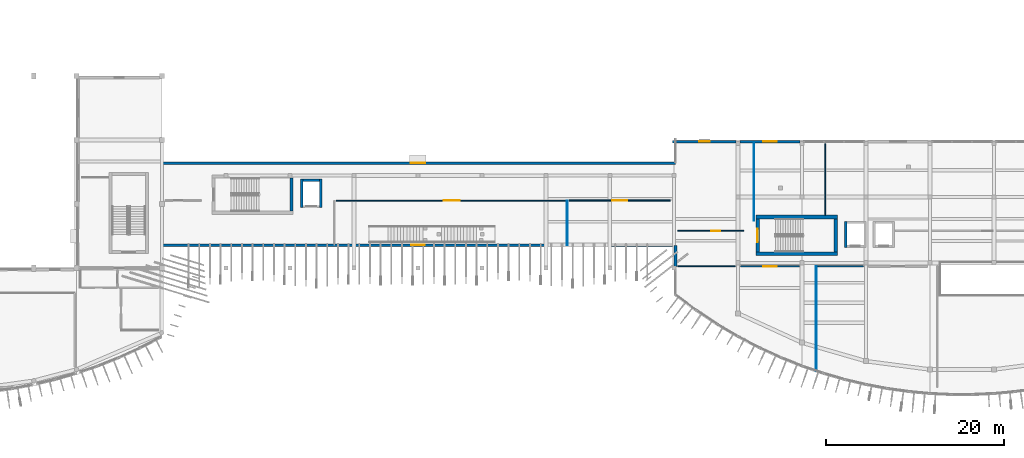
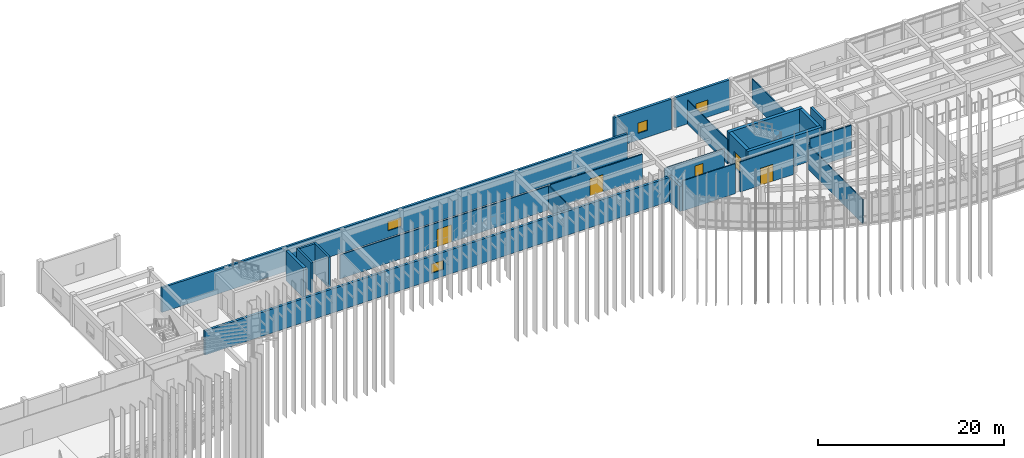
# One storey, part 31 of 47: 24 walls, 5 doors, 4 windows, 9 openings.
"""IFC4 building model written with IfcOpenShell, lengths in metres."""

from ifc_helpers import new_model, si_unit, direction, frame, frame_2d, origin, place, context, subcontext, project, spatial, rectangle, extrude, material, layer, layer_set, type_object, element, fill, save


model = new_model("IFC4")

# Units and contexts
model_context = context("Model", 3, precision=1e-05, world=origin(), true_north=direction((0.0, 1.0)))
body_context = subcontext(model_context, "Body", "Model", "MODEL_VIEW")
ifc_project = project(units=[si_unit("LENGTHUNIT", "METRE"), si_unit("AREAUNIT", "SQUARE_METRE"), si_unit("VOLUMEUNIT", "CUBIC_METRE"), si_unit("PLANEANGLEUNIT", "RADIAN"), si_unit("MASSUNIT", "GRAM", prefix="KILO")], contexts=[model_context])

# Site, building, storey
site_placement = place(None, origin())
site = spatial("IfcSite", under=ifc_project, at=site_placement, CompositionType="ELEMENT")
building_placement = place(site_placement, origin())
building = spatial("IfcBuilding", under=site, at=building_placement, Name="Brisavento Harbour Community Centre", CompositionType="ELEMENT")
storey_placement = place(building_placement, frame((0.0, 0.0, 8.699951171875)))
storey = spatial("IfcBuildingStorey", under=building, at=storey_placement, Name="L02", CompositionType="ELEMENT", Elevation=8.699951171875)

# Walls
ifc_material_1 = material(Name="Concrete C40/50", Category="concrete")
ifc_layer_1 = layer(ifc_material_1, 0.35009765625, Name="Concrete C40/50")
ifc_layer_set_1 = layer_set([ifc_layer_1], Name="Concrete C40/50")
wall_type_1 = type_object("IfcWallType", Name="WL-CORE-350", PredefinedType="SHEAR", material=ifc_layer_set_1)
wall_1_placement = place(storey_placement, frame((64.97509765625, 20.800048828125, 0.0), z_axis=(0.0, 0.0, 1.0), x_axis=(0.0, 1.0, 0.0)))
element("IfcWall", 1, at=wall_1_placement, inside=storey, type_object=wall_type_1, Name="L02 core C2 shear wall F", PredefinedType="SHEAR", context=body_context, shape_type="SweptSolid", body=[
    extrude(rectangle(XDim=3.75, YDim=0.35009765625, at=frame_2d((1.875, 0.0))), origin(), (0.0, 0.0, 1.0), 3.9599609375),
])
ifc_layer_2 = layer(ifc_material_1, 0.39990234375, Name="Concrete C40/50")
ifc_layer_set_2 = layer_set([ifc_layer_2], Name="Concrete C40/50")
wall_type_2 = type_object("IfcWallType", Name="WL-CORE-400", PredefinedType="SHEAR", material=ifc_layer_set_2)
for number, where, z_axis, x_axis, name in (
    (2, (117.199951171875, 16.0, 0.0), (0.0, 0.0, 1.0), (1.0, 0.0, 0.0), "L02 core C3A shear wall L"),
    (3, (126.39990234375, 20.14990234375, 0.0), (0.0, 0.0, 1.0), (-1.0, 0.0, 0.0), "L02 core C3A shear wall R"),
):
    element("IfcWall", number, at=place(storey_placement, frame(where, z_axis=z_axis, x_axis=x_axis)), inside=storey, type_object=wall_type_2, Name=name, PredefinedType="SHEAR", context=body_context, shape_type="SweptSolid", body=[
        extrude(rectangle(XDim=9.199951171875, YDim=0.39990234375, at=frame_2d((4.60009765625, 0.0))), origin(), (0.0, 0.0, 1.0), 3.9599609375),
    ])
wall_2_placement = place(storey_placement, frame((126.199951171875, 16.199951171875, 0.0), z_axis=(0.0, 0.0, 1.0), x_axis=(0.0, 1.0, 0.0)))
element("IfcWall", 4, at=wall_2_placement, inside=storey, type_object=wall_type_2, Name="L02 core C3A shear wall F", PredefinedType="SHEAR", context=body_context, shape_type="SweptSolid", body=[
    extrude(rectangle(XDim=3.75, YDim=0.39990234375, at=frame_2d((1.875, 0.0))), origin(), (0.0, 0.0, 1.0), 3.9599609375),
])

# Wall, opening, door
wall_3_placement = place(storey_placement, frame((117.39990234375, 19.949951171875, 0.0), z_axis=(0.0, 0.0, 1.0), x_axis=(0.0, -1.0, 0.0)))
wall_3 = element("IfcWall", 5, at=wall_3_placement, inside=storey, type_object=wall_type_2, Name="L02 core C3A shear wall N", PredefinedType="SHEAR", context=body_context, shape_type="SweptSolid", body=[
    extrude(rectangle(XDim=3.75, YDim=0.39990234375, at=frame_2d((1.875, 0.0))), origin(), (0.0, 0.0, 1.0), 3.9599609375),
])
opening_1_placement = place(wall_3_placement, frame((1.125, 0.0, 0.0)))
opening_1 = element("IfcOpeningElement", 6, at=opening_1_placement, cuts=wall_3, Name="Opening SD-01", PredefinedType="OPENING", context=body_context, shape_type="SweptSolid", body=[
    extrude(rectangle(XDim=1.5, YDim=2.199951171875, at=frame_2d((0.75, 1.10009765625))), frame((0.0, 0.2099609375, 0.0), z_axis=(0.0, -1.0, 0.0), x_axis=(1.0, 0.0, 0.0)), (0.0, 0.0, 1.0), 0.419921875),
])
ifc_material_2 = material(Name="Fire-rated steel door assembly", Category="steel")
door_type_1 = type_object("IfcDoorType", Name="DR-STAIR-150x220", OperationType="NOTDEFINED", PredefinedType="DOOR", material=ifc_material_2)
door_1_placement = place(opening_1_placement, origin())
door_1 = element("IfcDoor", 7, at=door_1_placement, inside=storey, type_object=door_type_1, Name="L02 exit stair ST-04 fire door", OperationType="SINGLE_SWING_RIGHT", OverallHeight=2.199951171875, OverallWidth=1.5, PredefinedType="DOOR", context=body_context, shape_type="SweptSolid", body=[
    extrude(rectangle(XDim=1.5, YDim=2.199951171875, at=frame_2d((0.75, 1.10009765625))), frame((0.0, 0.02490234375, 0.0), z_axis=(0.0, -1.0, 0.0), x_axis=(1.0, 0.0, 0.0)), (0.0, 0.0, 1.0), 0.050048828125),
])
fill(opening_1, door_1)

# Wall, opening, window
ifc_material_3 = material(Name="Precast concrete C40/50", Category="concrete")
ifc_layer_3 = layer(ifc_material_3, 0.280029296875, Name="Precast concrete C40/50")
ifc_layer_set_3 = layer_set([ifc_layer_3], Name="Precast concrete C40/50")
wall_type_3 = type_object("IfcWallType", Name="WL-EXT-280", PredefinedType="SOLIDWALL", material=ifc_layer_set_3)
wall_4_placement = place(storey_placement, frame((50.25, 26.219970703125, 0.0), z_axis=(0.0, 0.0, 1.0), x_axis=(1.0, 0.0, 0.0)))
wall_4 = element("IfcWall", 8, at=wall_4_placement, inside=storey, type_object=wall_type_3, Name="L02 V2 exterior wall 0236", PredefinedType="SOLIDWALL", context=body_context, shape_type="SweptSolid", body=[
    extrude(rectangle(XDim=57.89990234375, YDim=0.280029296875, at=frame_2d((28.949951171875, 0.0))), origin(), (0.0, 0.0, 1.0), 3.239990234375),
])
opening_2_placement = place(wall_4_placement, frame((28.125, 0.0, 0.89990234375)))
opening_2 = element("IfcOpeningElement", 9, at=opening_2_placement, cuts=wall_4, Name="Opening W-06", PredefinedType="OPENING", context=body_context, shape_type="SweptSolid", body=[
    extrude(rectangle(XDim=1.64990234375, YDim=1.199951171875, at=frame_2d((0.824951171875, 0.60009765625))), frame((0.0, 0.14990234375, 0.0), z_axis=(0.0, -1.0, 0.0), x_axis=(1.0, 0.0, 0.0)), (0.0, 0.0, 1.0), 0.300048828125),
])
ifc_material_4 = material(Name="Solar-control laminated low-E glass", Category="glass")
window_type_1 = type_object("IfcWindowType", Name="WIN-CAS-06", PartitioningType="SINGLE_PANEL", PredefinedType="WINDOW", material=ifc_material_4)
window_1_placement = place(opening_2_placement, origin())
window_1 = element("IfcWindow", 10, at=window_1_placement, inside=storey, type_object=window_type_1, Name="L02 V2 impact casement window 0114", OverallHeight=1.199951171875, OverallWidth=1.64990234375, PartitioningType="SINGLE_PANEL", PredefinedType="WINDOW", context=body_context, shape_type="SweptSolid", body=[
    extrude(rectangle(XDim=1.64990234375, YDim=1.199951171875, at=frame_2d((0.824951171875, 0.60009765625))), frame((0.0, 0.030029296875, 0.0), z_axis=(0.0, -1.0, 0.0), x_axis=(1.0, 0.0, 0.0)), (0.0, 0.0, 1.0), 0.06005859375),
])
fill(opening_2, window_1)

ifc_material_5 = material(Name="Concrete C35/45", Category="concrete")
ifc_layer_4 = layer(ifc_material_5, 0.300048828125, Name="Concrete C35/45")
ifc_layer_set_4 = layer_set([ifc_layer_4], Name="Concrete C35/45")
wall_type_4 = type_object("IfcWallType", Name="WL-EXT-300", PredefinedType="SOLIDWALL", material=ifc_layer_set_4)
wall_5_placement = place(storey_placement, frame((108.14990234375, 16.97998046875, 0.0), z_axis=(0.0, 0.0, 1.0), x_axis=(-1.0, 0.0, 0.0)))
wall_5 = element("IfcWall", 11, at=wall_5_placement, inside=storey, type_object=wall_type_4, Name="L02 V2 exterior wall 0235", PredefinedType="SOLIDWALL", context=body_context, shape_type="SweptSolid", body=[
    extrude(rectangle(XDim=57.89990234375, YDim=0.300048828125, at=frame_2d((28.949951171875, 0.0))), origin(), (0.0, 0.0, 1.0), 3.16015625),
])
opening_3_placement = place(wall_5_placement, frame((28.199951171875, 0.0, 0.89990234375)))
opening_3 = element("IfcOpeningElement", 12, at=opening_3_placement, cuts=wall_5, Name="Opening W-05", PredefinedType="OPENING", context=body_context, shape_type="SweptSolid", body=[
    extrude(rectangle(XDim=1.5, YDim=1.199951171875, at=frame_2d((0.75, 0.60009765625))), frame((0.0, 0.16015625, 0.0), z_axis=(0.0, -1.0, 0.0), x_axis=(1.0, 0.0, 0.0)), (0.0, 0.0, 1.0), 0.320068359375),
])
window_type_2 = type_object("IfcWindowType", Name="WIN-CAS-05", PartitioningType="SINGLE_PANEL", PredefinedType="WINDOW", material=ifc_material_4)
window_2_placement = place(opening_3_placement, origin())
window_2 = element("IfcWindow", 13, at=window_2_placement, inside=storey, type_object=window_type_2, Name="L02 V2 impact casement window 0113", OverallHeight=1.199951171875, OverallWidth=1.5, PartitioningType="SINGLE_PANEL", PredefinedType="WINDOW", context=body_context, shape_type="SweptSolid", body=[
    extrude(rectangle(XDim=1.5, YDim=1.199951171875, at=frame_2d((0.75, 0.60009765625))), frame((0.0, 0.030029296875, 0.0), z_axis=(0.0, -1.0, 0.0), x_axis=(1.0, 0.0, 0.0)), (0.0, 0.0, 1.0), 0.06005859375),
])
fill(opening_3, window_2)

wall_6_placement = place(storey_placement, frame((115.409912109375, 28.6201171875, 0.0), z_axis=(0.0, 0.0, 1.0), x_axis=(1.0, 0.0, 0.0)))
wall_6 = element("IfcWall", 14, at=wall_6_placement, inside=storey, type_object=wall_type_4, Name="L02 V3 exterior wall 0240", PredefinedType="SOLIDWALL", context=body_context, shape_type="SweptSolid", body=[
    extrude(rectangle(XDim=6.780029296875, YDim=0.300048828125, at=frame_2d((3.39013671875, 0.0))), origin(), (0.0, 0.0, 1.0), 3.9599609375),
])
opening_4_placement = place(wall_6_placement, frame((2.639892578125, 0.0, 0.89990234375)))
opening_4 = element("IfcOpeningElement", 15, at=opening_4_placement, cuts=wall_6, Name="Opening W-10", PredefinedType="OPENING", context=body_context, shape_type="SweptSolid", body=[
    extrude(rectangle(XDim=1.5, YDim=1.35009765625, at=frame_2d((0.75, 0.675048828125))), frame((0.0, 0.16015625, 0.0), z_axis=(0.0, -1.0, 0.0), x_axis=(1.0, 0.0, 0.0)), (0.0, 0.0, 1.0), 0.320068359375),
])
window_type_3 = type_object("IfcWindowType", Name="WIN-CAS-10", PartitioningType="SINGLE_PANEL", PredefinedType="WINDOW", material=ifc_material_4)
window_3_placement = place(opening_4_placement, origin())
window_3 = element("IfcWindow", 16, at=window_3_placement, inside=storey, type_object=window_type_3, Name="L02 V3 impact casement window 0118", OverallHeight=1.35009765625, OverallWidth=1.5, PartitioningType="SINGLE_PANEL", PredefinedType="WINDOW", context=body_context, shape_type="SweptSolid", body=[
    extrude(rectangle(XDim=1.5, YDim=1.35009765625, at=frame_2d((0.75, 0.675048828125))), frame((0.0, 0.030029296875, 0.0), z_axis=(0.0, -1.0, 0.0), x_axis=(1.0, 0.0, 0.0)), (0.0, 0.0, 1.0), 0.06005859375),
])
fill(opening_4, window_3)

ifc_layer_5 = layer(ifc_material_5, 0.320068359375, Name="Concrete C35/45")
ifc_layer_set_5 = layer_set([ifc_layer_5], Name="Concrete C35/45")
wall_type_5 = type_object("IfcWallType", Name="WL-EXT-320", PredefinedType="SOLIDWALL", material=ifc_layer_set_5)
wall_7_placement = place(storey_placement, frame((107.85009765625, 28.6201171875, 0.0), z_axis=(0.0, 0.0, 1.0), x_axis=(1.0, 0.0, 0.0)))
wall_7 = element("IfcWall", 17, at=wall_7_placement, inside=storey, type_object=wall_type_5, Name="L02 V3 exterior wall 0239", PredefinedType="SOLIDWALL", context=body_context, shape_type="SweptSolid", body=[
    extrude(rectangle(XDim=7.139892578125, YDim=0.320068359375, at=frame_2d((3.56982421875, 0.0))), origin(), (0.0, 0.0, 1.0), 3.9599609375),
])
opening_5_placement = place(wall_7_placement, frame((2.969970703125, 0.0, 0.89990234375)))
opening_5 = element("IfcOpeningElement", 18, at=opening_5_placement, cuts=wall_7, Name="Opening W-09", PredefinedType="OPENING", context=body_context, shape_type="SweptSolid", body=[
    extrude(rectangle(XDim=1.199951171875, YDim=1.35009765625, at=frame_2d((0.60009765625, 0.675048828125))), frame((0.0, 0.169921875, 0.0), z_axis=(0.0, -1.0, 0.0), x_axis=(1.0, 0.0, 0.0)), (0.0, 0.0, 1.0), 0.340087890625),
])
window_type_4 = type_object("IfcWindowType", Name="WIN-CAS-09", PartitioningType="SINGLE_PANEL", PredefinedType="WINDOW", material=ifc_material_4)
window_4_placement = place(opening_5_placement, origin())
window_4 = element("IfcWindow", 19, at=window_4_placement, inside=storey, type_object=window_type_4, Name="L02 V3 impact casement window 0117", OverallHeight=1.35009765625, OverallWidth=1.199951171875, PartitioningType="SINGLE_PANEL", PredefinedType="WINDOW", context=body_context, shape_type="SweptSolid", body=[
    extrude(rectangle(XDim=1.199951171875, YDim=1.35009765625, at=frame_2d((0.60009765625, 0.675048828125))), frame((0.0, 0.030029296875, 0.0), z_axis=(0.0, -1.0, 0.0), x_axis=(1.0, 0.0, 0.0)), (0.0, 0.0, 1.0), 0.06005859375),
])
fill(opening_5, window_4)

# Walls
wall_8_placement = place(storey_placement, frame((108.179931640625, 14.610107421875, 0.0), z_axis=(0.0, 0.0, 1.0), x_axis=(0.0, 1.0, 0.0)))
element("IfcWall", 20, at=wall_8_placement, inside=storey, type_object=wall_type_5, Name="L02 V3 exterior wall 0244", PredefinedType="SOLIDWALL", context=body_context, shape_type="SweptSolid", body=[
    extrude(rectangle(XDim=2.33984375, YDim=0.320068359375, at=frame_2d((1.169921875, 0.0))), origin(), (0.0, 0.0, 1.0), 3.31005859375),
])
ifc_material_6 = material(Name="Lightweight stud partition", Category="other")
ifc_layer_6 = layer(ifc_material_6, 0.10009765625, Name="Lightweight stud partition")
ifc_layer_set_6 = layer_set([ifc_layer_6], Name="Lightweight stud partition")
wall_type_6 = type_object("IfcWallType", Name="WL-PRT-100", PredefinedType="PARTITIONING", material=ifc_layer_set_6)
wall_9_placement = place(storey_placement, frame((96.0, 17.0, 0.0), z_axis=(0.0, 0.0, 1.0), x_axis=(0.0, 1.0, 0.0)))
element("IfcWall", 21, at=wall_9_placement, inside=storey, type_object=wall_type_6, Name="L02 Public Roof Terrace Lounge partition 0211", PredefinedType="PARTITIONING", context=body_context, shape_type="SweptSolid", body=[
    extrude(rectangle(XDim=5.0, YDim=0.10009765625, at=frame_2d((2.5, 0.0))), origin(), (0.0, 0.0, 1.0), 3.199951171875),
])
wall_10_placement = place(storey_placement, frame((124.0, 2.81640625, 0.0), z_axis=(0.0, 0.0, 1.0), x_axis=(0.0, 1.0, 0.0)))
element("IfcWall", 22, at=wall_10_placement, inside=storey, type_object=wall_type_6, Name="L02 Digital Media Lab 201 partition 0215", PredefinedType="PARTITIONING", context=body_context, shape_type="SweptSolid", body=[
    extrude(rectangle(XDim=11.78369140625, YDim=0.10009765625, at=frame_2d((5.891845703125, 0.0))), origin(), (0.0, 0.0, 1.0), 3.199951171875),
])
wall_11_placement = place(storey_placement, frame((117.0, 19.75, 0.0), z_axis=(0.0, 0.0, 1.0), x_axis=(0.0, 1.0, 0.0)))
element("IfcWall", 23, at=wall_11_placement, inside=storey, type_object=wall_type_6, Name="L02 Sound Recording Control Room partition 0231", PredefinedType="PARTITIONING", context=body_context, shape_type="SweptSolid", body=[
    extrude(rectangle(XDim=8.64990234375, YDim=0.10009765625, at=frame_2d((4.324951171875, 0.0))), origin(), (0.0, 0.0, 1.0), 3.16015625),
])

# Wall, opening, door
ifc_material_7 = material(Name="Gypsum metal-stud partition", Category="other")
ifc_layer_7 = layer(ifc_material_7, 0.1201171875, Name="Gypsum metal-stud partition")
ifc_layer_set_7 = layer_set([ifc_layer_7], Name="Gypsum metal-stud partition")
wall_type_7 = type_object("IfcWallType", Name="WL-PRT-120", PredefinedType="PARTITIONING", material=ifc_layer_set_7)
wall_12_placement = place(storey_placement, frame((96.0, 22.0, 0.0), z_axis=(0.0, 0.0, 1.0), x_axis=(-1.0, 0.0, 0.0)))
wall_12 = element("IfcWall", 24, at=wall_12_placement, inside=storey, type_object=wall_type_7, Name="L02 Public Roof Terrace Lounge partition 0210", PredefinedType="PARTITIONING", context=body_context, shape_type="SweptSolid", body=[
    extrude(rectangle(XDim=26.0, YDim=0.1201171875, at=frame_2d((13.0, 0.0))), origin(), (0.0, 0.0, 1.0), 3.16015625),
])
opening_6_placement = place(wall_12_placement, frame((12.10009765625, 0.0, 0.0)))
opening_6 = element("IfcOpeningElement", 25, at=opening_6_placement, cuts=wall_12, Name="Opening ID-01", PredefinedType="OPENING", context=body_context, shape_type="SweptSolid", body=[
    extrude(rectangle(XDim=1.800048828125, YDim=2.300048828125, at=frame_2d((0.89990234375, 1.14990234375))), frame((0.0, 0.070068359375, 0.0), z_axis=(0.0, -1.0, 0.0), x_axis=(1.0, 0.0, 0.0)), (0.0, 0.0, 1.0), 0.14013671875),
])
ifc_material_8 = material(Name="Solid-core tropical timber door", Category="wood")
door_type_2 = type_object("IfcDoorType", Name="DR-INT-180x230", OperationType="NOTDEFINED", PredefinedType="DOOR", material=ifc_material_8)
door_2_placement = place(opening_6_placement, origin())
door_2 = element("IfcDoor", 26, at=door_2_placement, inside=storey, type_object=door_type_2, Name="L02 Public Roof Terrace Lounge door 0078", OperationType="SINGLE_SWING_LEFT", OverallHeight=2.300048828125, OverallWidth=1.800048828125, PredefinedType="DOOR", context=body_context, shape_type="SweptSolid", body=[
    extrude(rectangle(XDim=1.800048828125, YDim=2.300048828125, at=frame_2d((0.89990234375, 1.14990234375))), frame((0.0, 0.02490234375, 0.0), z_axis=(0.0, -1.0, 0.0), x_axis=(1.0, 0.0, 0.0)), (0.0, 0.0, 1.0), 0.050048828125),
])
fill(opening_6, door_2)

# Walls
wall_13_placement = place(storey_placement, frame((114.909912109375, 14.60009765625, 0.0), z_axis=(0.0, 0.0, 1.0), x_axis=(-1.0, 0.0, 0.0)))
element("IfcWall", 27, at=wall_13_placement, inside=storey, type_object=wall_type_7, Name="L02 Digital Media Lab 201 partition 0214", PredefinedType="PARTITIONING", context=body_context, shape_type="SweptSolid", body=[
    extrude(rectangle(XDim=6.510009765625, YDim=0.1201171875, at=frame_2d((3.2548828125, 0.0))), origin(), (0.0, 0.0, 1.0), 3.9599609375),
])
wall_14_placement = place(storey_placement, frame((125.0, 28.39990234375, 0.0), z_axis=(0.0, 0.0, 1.0), x_axis=(0.0, -1.0, 0.0)))
element("IfcWall", 28, at=wall_14_placement, inside=storey, type_object=wall_type_7, Name="L02 Adult Classroom 203 partition 0226", PredefinedType="PARTITIONING", context=body_context, shape_type="SweptSolid", body=[
    extrude(rectangle(XDim=8.039794921875, YDim=0.1201171875, at=frame_2d((4.02001953125, 0.0))), origin(), (0.0, 0.0, 1.0), 3.2099609375),
])

# Wall, opening, door
wall_15_placement = place(storey_placement, frame((108.39990234375, 18.60009765625, 0.0), z_axis=(0.0, 0.0, 1.0), x_axis=(1.0, 0.0, 0.0)))
wall_15 = element("IfcWall", 29, at=wall_15_placement, inside=storey, type_object=wall_type_7, Name="L02 Sound Recording Control Room partition 0230", PredefinedType="PARTITIONING", context=body_context, shape_type="SweptSolid", body=[
    extrude(rectangle(XDim=7.4501953125, YDim=0.1201171875, at=frame_2d((3.72509765625, 0.0))), origin(), (0.0, 0.0, 1.0), 3.16015625),
])
opening_7_placement = place(wall_15_placement, frame((3.800048828125, 0.0, 0.0)))
opening_7 = element("IfcOpeningElement", 30, at=opening_7_placement, cuts=wall_15, Name="Opening ID-09", PredefinedType="OPENING", context=body_context, shape_type="SweptSolid", body=[
    extrude(rectangle(XDim=1.0, YDim=2.14990234375, at=frame_2d((0.5, 1.074951171875))), frame((0.0, 0.070068359375, 0.0), z_axis=(0.0, -1.0, 0.0), x_axis=(1.0, 0.0, 0.0)), (0.0, 0.0, 1.0), 0.14013671875),
])
door_type_3 = type_object("IfcDoorType", Name="DR-INT-100x215", OperationType="NOTDEFINED", PredefinedType="DOOR", material=ifc_material_8)
door_3_placement = place(opening_7_placement, origin())
door_3 = element("IfcDoor", 31, at=door_3_placement, inside=storey, type_object=door_type_3, Name="L02 Sound Recording Control Room door 0086", OperationType="SINGLE_SWING_LEFT", OverallHeight=2.14990234375, OverallWidth=1.0, PredefinedType="DOOR", context=body_context, shape_type="SweptSolid", body=[
    extrude(rectangle(XDim=1.0, YDim=2.14990234375, at=frame_2d((0.5, 1.074951171875))), frame((0.0, 0.02490234375, 0.0), z_axis=(0.0, -1.0, 0.0), x_axis=(1.0, 0.0, 0.0)), (0.0, 0.0, 1.0), 0.050048828125),
])
fill(opening_7, door_3)

ifc_layer_8 = layer(ifc_material_7, 0.139892578125, Name="Gypsum metal-stud partition")
ifc_layer_set_8 = layer_set([ifc_layer_8], Name="Gypsum metal-stud partition")
wall_type_8 = type_object("IfcWallType", Name="WL-PRT-140", PredefinedType="PARTITIONING", material=ifc_layer_set_8)
wall_16_placement = place(storey_placement, frame((122.110107421875, 14.60009765625, 0.0), z_axis=(0.0, 0.0, 1.0), x_axis=(-1.0, 0.0, 0.0)))
wall_16 = element("IfcWall", 32, at=wall_16_placement, inside=storey, type_object=wall_type_8, Name="L02 Digital Media Lab 201 partition 0213", PredefinedType="PARTITIONING", context=body_context, shape_type="SweptSolid", body=[
    extrude(rectangle(XDim=6.6201171875, YDim=0.139892578125, at=frame_2d((3.31005859375, 0.0))), origin(), (0.0, 0.0, 1.0), 3.9599609375),
])
opening_8_placement = place(wall_16_placement, frame((2.534912109375, 0.0, 0.0)))
opening_8 = element("IfcOpeningElement", 33, at=opening_8_placement, cuts=wall_16, Name="Opening ID-03", PredefinedType="OPENING", context=body_context, shape_type="SweptSolid", body=[
    extrude(rectangle(XDim=1.550048828125, YDim=2.25, at=frame_2d((0.77490234375, 1.125))), frame((0.0, 0.080078125, 0.0), z_axis=(0.0, -1.0, 0.0), x_axis=(1.0, 0.0, 0.0)), (0.0, 0.0, 1.0), 0.159912109375),
])
door_type_4 = type_object("IfcDoorType", Name="DR-INT-155x225", OperationType="NOTDEFINED", PredefinedType="DOOR", material=ifc_material_8)
door_4_placement = place(opening_8_placement, origin())
door_4 = element("IfcDoor", 34, at=door_4_placement, inside=storey, type_object=door_type_4, Name="L02 Digital Media Lab 201 door 0080", OperationType="SINGLE_SWING_LEFT", OverallHeight=2.25, OverallWidth=1.550048828125, PredefinedType="DOOR", context=body_context, shape_type="SweptSolid", body=[
    extrude(rectangle(XDim=1.550048828125, YDim=2.25, at=frame_2d((0.77490234375, 1.125))), frame((0.0, 0.02490234375, 0.0), z_axis=(0.0, -1.0, 0.0), x_axis=(1.0, 0.0, 0.0)), (0.0, 0.0, 1.0), 0.050048828125),
])
fill(opening_8, door_4)

# Wall
wall_17_placement = place(storey_placement, frame((129.31005859375, 14.60009765625, 0.0), z_axis=(0.0, 0.0, 1.0), x_axis=(-1.0, 0.0, 0.0)))
element("IfcWall", 35, at=wall_17_placement, inside=storey, type_object=wall_type_8, Name="L02 Youth Studio 202 partition 0217", PredefinedType="PARTITIONING", context=body_context, shape_type="SweptSolid", body=[
    extrude(rectangle(XDim=5.110107421875, YDim=0.139892578125, at=frame_2d((2.55517578125, 0.0))), origin(), (0.0, 0.0, 1.0), 3.9599609375),
])

# Wall, opening, door
ifc_material_9 = material(Name="Moisture-resistant stud partition", Category="other")
ifc_layer_9 = layer(ifc_material_9, 0.14990234375, Name="Moisture-resistant stud partition")
ifc_layer_set_9 = layer_set([ifc_layer_9], Name="Moisture-resistant stud partition")
wall_type_9 = type_object("IfcWallType", Name="WL-PRT-150", PredefinedType="PARTITIONING", material=ifc_layer_set_9)
wall_18_placement = place(storey_placement, frame((107.60009765625, 22.0, 0.0), z_axis=(0.0, 0.0, 1.0), x_axis=(-1.0, 0.0, 0.0)))
wall_18 = element("IfcWall", 36, at=wall_18_placement, inside=storey, type_object=wall_type_9, Name="L02 Community Clubroom 201 partition 0212", PredefinedType="PARTITIONING", context=body_context, shape_type="SweptSolid", body=[
    extrude(rectangle(XDim=11.400146484375, YDim=0.14990234375, at=frame_2d((5.7001953125, 0.0))), origin(), (0.0, 0.0, 1.0), 3.260009765625),
])
opening_9_placement = place(wall_18_placement, frame((4.875, 0.0, 0.0)))
opening_9 = element("IfcOpeningElement", 37, at=opening_9_placement, cuts=wall_18, Name="Opening ID-02", PredefinedType="OPENING", context=body_context, shape_type="SweptSolid", body=[
    extrude(rectangle(XDim=1.64990234375, YDim=2.300048828125, at=frame_2d((0.824951171875, 1.14990234375))), frame((0.0, 0.0849609375, 0.0), z_axis=(0.0, -1.0, 0.0), x_axis=(1.0, 0.0, 0.0)), (0.0, 0.0, 1.0), 0.169921875),
])
door_type_5 = type_object("IfcDoorType", Name="DR-INT-165x230", OperationType="NOTDEFINED", PredefinedType="DOOR", material=ifc_material_8)
door_5_placement = place(opening_9_placement, origin())
door_5 = element("IfcDoor", 38, at=door_5_placement, inside=storey, type_object=door_type_5, Name="L02 Community Clubroom 201 door 0079", OperationType="SINGLE_SWING_RIGHT", OverallHeight=2.300048828125, OverallWidth=1.64990234375, PredefinedType="DOOR", context=body_context, shape_type="SweptSolid", body=[
    extrude(rectangle(XDim=1.64990234375, YDim=2.300048828125, at=frame_2d((0.824951171875, 1.14990234375))), frame((0.0, 0.02490234375, 0.0), z_axis=(0.0, -1.0, 0.0), x_axis=(1.0, 0.0, 0.0)), (0.0, 0.0, 1.0), 0.050048828125),
])
fill(opening_9, door_5)

# Walls
ifc_layer_10 = layer(ifc_material_5, 0.25, Name="Concrete C35/45")
ifc_layer_set_10 = layer_set([ifc_layer_10], Name="Concrete C35/45")
wall_type_10 = type_object("IfcWallType", Name="WL-SHF-250", PredefinedType="SOLIDWALL", material=ifc_layer_set_10)
wall_19_placement = place(storey_placement, frame((127.324951171875, 16.75, 0.0), z_axis=(0.0, 0.0, 1.0), x_axis=(0.0, 1.0, 0.0)))
element("IfcWall", 39, at=wall_19_placement, inside=storey, type_object=wall_type_10, Name="L02 lift LC-02 shaft wall W", PredefinedType="SOLIDWALL", context=body_context, shape_type="SweptSolid", body=[
    extrude(rectangle(XDim=2.89990234375, YDim=0.25, at=frame_2d((1.449951171875, 0.0))), origin(), (0.0, 0.0, 1.0), 3.9599609375),
])
for number, where, z_axis, x_axis, name in (
    (40, (66.125, 21.199951171875, 0.0), (0.0, 0.0, 1.0), (0.0, 1.0, 0.0), "L02 lift LC-04 shaft wall W"),
    (41, (68.27490234375, 24.39990234375, 0.0), (0.0, 0.0, 1.0), (0.0, -1.0, 0.0), "L02 lift LC-04 shaft wall E"),
):
    element("IfcWall", number, at=place(storey_placement, frame(where, z_axis=z_axis, x_axis=x_axis)), inside=storey, type_object=wall_type_10, Name=name, PredefinedType="SOLIDWALL", context=body_context, shape_type="SweptSolid", body=[
        extrude(rectangle(XDim=3.199951171875, YDim=0.25, at=frame_2d((1.60009765625, 0.0))), origin(), (0.0, 0.0, 1.0), 3.9599609375),
    ])
wall_20_placement = place(storey_placement, frame((68.14990234375, 24.27490234375, 0.0), z_axis=(0.0, 0.0, 1.0), x_axis=(-1.0, 0.0, 0.0)))
element("IfcWall", 42, at=wall_20_placement, inside=storey, type_object=wall_type_10, Name="L02 lift LC-04 shaft wall N", PredefinedType="SOLIDWALL", context=body_context, shape_type="SweptSolid", body=[
    extrude(rectangle(XDim=1.89990234375, YDim=0.25, at=frame_2d((0.949951171875, 0.0))), origin(), (0.0, 0.0, 1.0), 3.9599609375),
])

save(model, "model.ifc")
